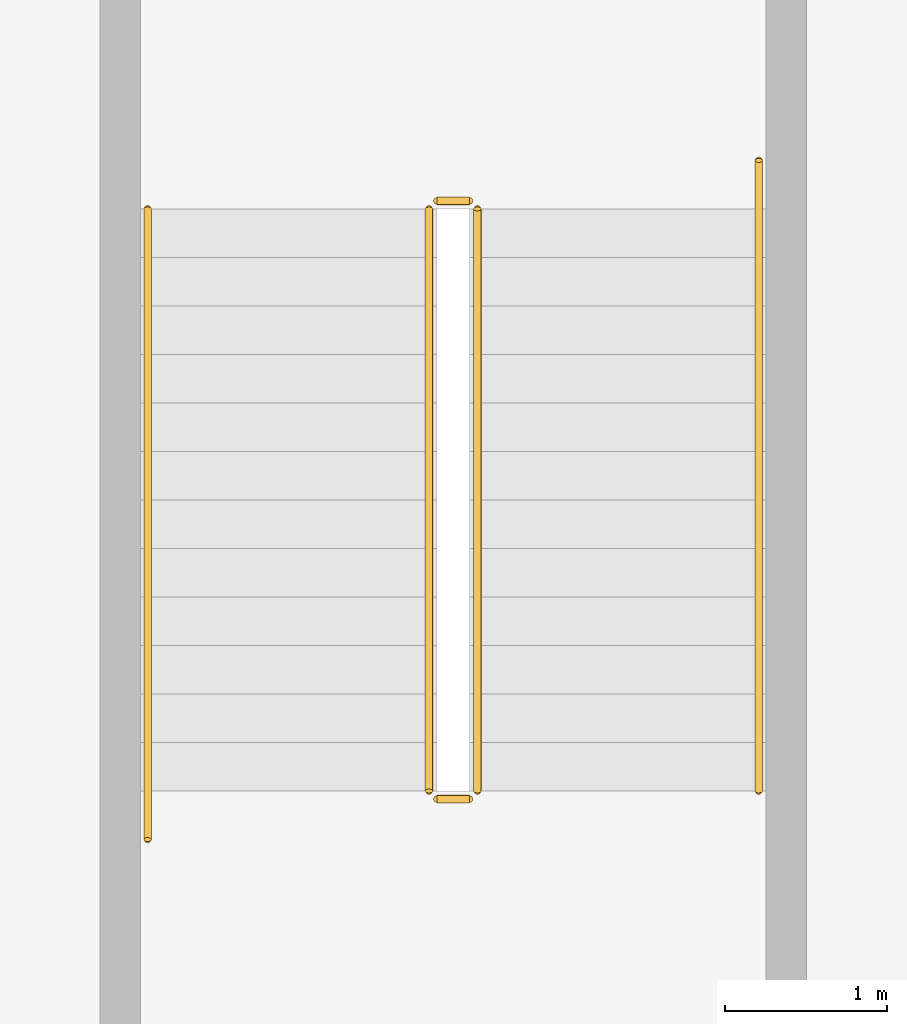
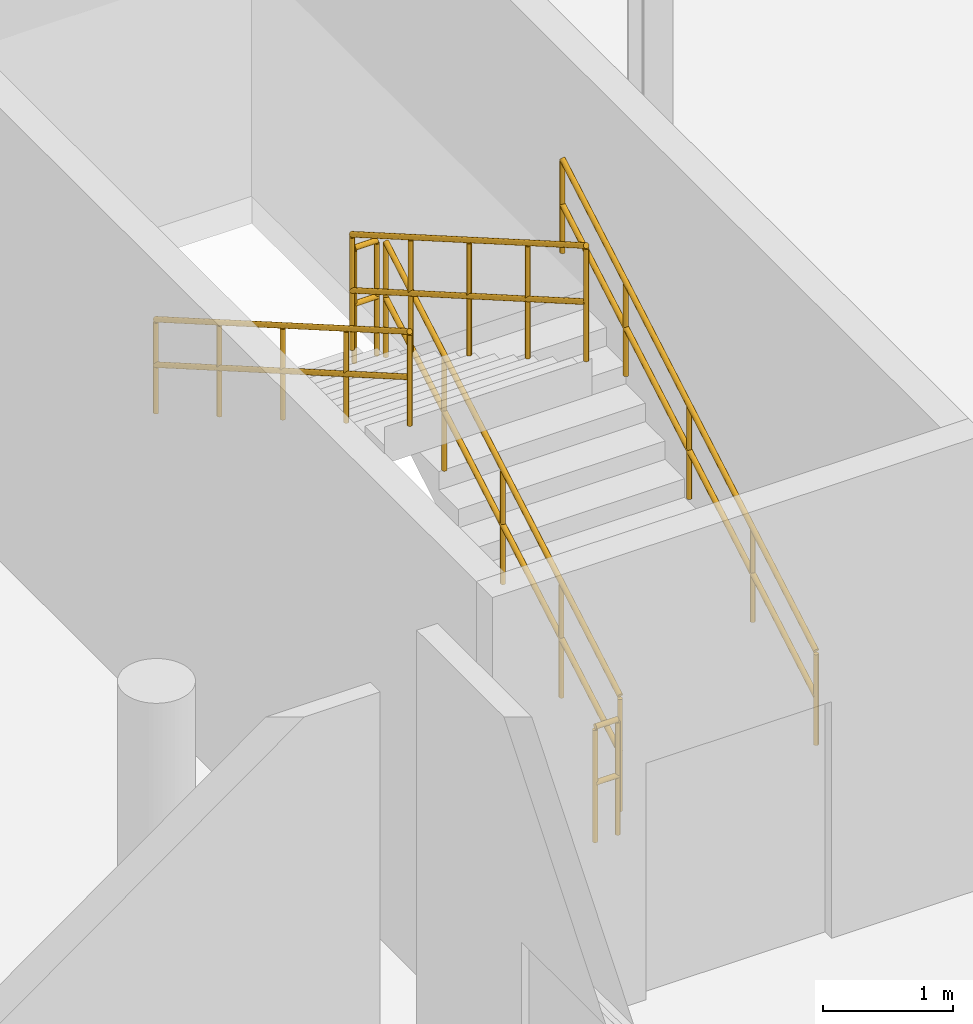
# One storey, part 72 of 73: 6 railings.
"""IFC4 building model written with IfcOpenShell, lengths in metres."""

from ifc_helpers import new_model, si_unit, direction, frame, origin, origin_2d, place, context, subcontext, project, spatial, circle, extrude, material, type_object, element, save


model = new_model("IFC4")

# Units and contexts
model_context = context("Model", 3, precision=1e-05, world=origin(), true_north=direction((0.0, 1.0)))
body_context = subcontext(model_context, "Body", "Model", "MODEL_VIEW")
ifc_project = project(units=[si_unit("LENGTHUNIT", "METRE"), si_unit("AREAUNIT", "SQUARE_METRE"), si_unit("VOLUMEUNIT", "CUBIC_METRE"), si_unit("PLANEANGLEUNIT", "RADIAN"), si_unit("MASSUNIT", "GRAM", prefix="KILO")], contexts=[model_context])

# Site, building, storey
site_placement = place(None, origin())
site = spatial("IfcSite", under=ifc_project, at=site_placement, CompositionType="ELEMENT")
building_placement = place(site_placement, origin())
building = spatial("IfcBuilding", under=site, at=building_placement, Name="Marnock Terrace Opera House", CompositionType="ELEMENT")
storey_placement = place(building_placement, frame((0.0, 0.0, 14.699951171875)))
storey = spatial("IfcBuildingStorey", under=building, at=storey_placement, Name="L03", CompositionType="ELEMENT", Elevation=14.699951171875)

# Railings
ifc_material = material(Name="Architectural bronze balustrade")
railing_type_1 = type_object("IfcRailingType", Name="RL-GUARD-1100", PredefinedType="GUARDRAIL", material=ifc_material)
railing_1_placement = place(storey_placement, frame((141.1298828125, 25.760009765625, 0.173095703125)))
element("IfcRailing", 1, at=railing_1_placement, inside=storey, type_object=railing_type_1, Name="L03 ST-06 stair guard 1", PredefinedType="GUARDRAIL", context=body_context, shape_type="SweptSolid", body=[
    extrude(circle(Radius=0.02392578125, at=origin_2d()), frame((0.0, 0.0, 1.076171875), z_axis=(0.0, 0.866193409371, 0.499708892819), x_axis=(-1.0, 0.0, 0.0)), (0.0, 0.0, 1.0), 4.15625),
    extrude(circle(Radius=0.02392578125, at=origin_2d()), frame((0.0, 0.0, 0.550048828125), z_axis=(0.0, 0.866193409371, 0.499708892819), x_axis=(-1.0, 0.0, 0.0)), (0.0, 0.0, 1.0), 4.15625),
    extrude(circle(Radius=0.02099609375, at=origin_2d()), origin(), (0.0, 0.0, 1.0), 1.052001953125),
    extrude(circle(Radius=0.02099609375, at=origin_2d()), frame((0.0, 0.89990234375, 0.519287109375)), (0.0, 0.0, 1.0), 1.052001953125),
    extrude(circle(Radius=0.02099609375, at=origin_2d()), frame((0.0, 1.800048828125, 1.03857421875)), (0.0, 0.0, 1.0), 1.052001953125),
    extrude(circle(Radius=0.02099609375, at=origin_2d()), frame((0.0, 2.7001953125, 1.5576171875)), (0.0, 0.0, 1.0), 1.052001953125),
    extrude(circle(Radius=0.02099609375, at=origin_2d()), frame((0.0, 3.60009765625, 2.076904296875)), (0.0, 0.0, 1.0), 1.052001953125),
])
railing_2_placement = place(storey_placement, frame((141.080078125, 29.409912109375, 2.25)))
element("IfcRailing", 2, at=railing_2_placement, inside=storey, type_object=railing_type_1, Name="L03 ST-06 stair guard 2", PredefinedType="GUARDRAIL", context=body_context, shape_type="SweptSolid", body=[
    extrude(circle(Radius=0.02392578125, at=origin_2d()), frame((0.0, 0.0, 1.076171875), z_axis=(-1.0, 0.0, 0.0), x_axis=(0.0, -1.0, 0.0)), (0.0, 0.0, 1.0), 0.2001953125),
    extrude(circle(Radius=0.02392578125, at=origin_2d()), frame((0.0, 0.0, 0.550048828125), z_axis=(-1.0, 0.0, 0.0), x_axis=(0.0, -1.0, 0.0)), (0.0, 0.0, 1.0), 0.2001953125),
    extrude(circle(Radius=0.02099609375, at=origin_2d()), origin(), (0.0, 0.0, 1.0), 1.052001953125),
    extrude(circle(Radius=0.02099609375, at=origin_2d()), frame((-0.2001953125, 0.0, 0.0)), (0.0, 0.0, 1.0), 1.052001953125),
])
railing_3_placement = place(storey_placement, frame((140.830078125, 29.360107421875, 2.423095703125)))
element("IfcRailing", 3, at=railing_3_placement, inside=storey, type_object=railing_type_1, Name="L03 ST-06 stair guard 3", PredefinedType="GUARDRAIL", context=body_context, shape_type="SweptSolid", body=[
    extrude(circle(Radius=0.02392578125, at=origin_2d()), frame((0.0, 0.0, 1.076171875), z_axis=(0.0, -0.866193409371, 0.499708892819), x_axis=(1.0, 0.0, 0.0)), (0.0, 0.0, 1.0), 4.15625),
    extrude(circle(Radius=0.02392578125, at=origin_2d()), frame((0.0, 0.0, 0.550048828125), z_axis=(0.0, -0.866193409371, 0.499708892819), x_axis=(1.0, 0.0, 0.0)), (0.0, 0.0, 1.0), 4.15625),
    extrude(circle(Radius=0.02099609375, at=origin_2d()), origin(), (0.0, 0.0, 1.0), 1.052001953125),
    extrude(circle(Radius=0.02099609375, at=origin_2d()), frame((0.0, -0.89990234375, 0.519287109375)), (0.0, 0.0, 1.0), 1.052001953125),
    extrude(circle(Radius=0.02099609375, at=origin_2d()), frame((0.0, -1.800048828125, 1.03857421875)), (0.0, 0.0, 1.0), 1.052001953125),
    extrude(circle(Radius=0.02099609375, at=origin_2d()), frame((0.0, -2.7001953125, 1.5576171875)), (0.0, 0.0, 1.0), 1.052001953125),
    extrude(circle(Radius=0.02099609375, at=origin_2d()), frame((0.0, -3.60009765625, 2.076904296875)), (0.0, 0.0, 1.0), 1.052001953125),
])
railing_4_placement = place(storey_placement, frame((141.080078125, 25.7099609375, 0.0)))
element("IfcRailing", 4, at=railing_4_placement, inside=storey, type_object=railing_type_1, Name="L03 ST-06 stair guard 4", PredefinedType="GUARDRAIL", context=body_context, shape_type="SweptSolid", body=[
    extrude(circle(Radius=0.02392578125, at=origin_2d()), frame((0.0, 0.0, 1.076171875), z_axis=(-1.0, 0.0, 0.0), x_axis=(0.0, -1.0, 0.0)), (0.0, 0.0, 1.0), 0.2001953125),
    extrude(circle(Radius=0.02392578125, at=origin_2d()), frame((0.0, 0.0, 0.550048828125), z_axis=(-1.0, 0.0, 0.0), x_axis=(0.0, -1.0, 0.0)), (0.0, 0.0, 1.0), 0.2001953125),
    extrude(circle(Radius=0.02099609375, at=origin_2d()), origin(), (0.0, 0.0, 1.0), 1.052001953125),
    extrude(circle(Radius=0.02099609375, at=origin_2d()), frame((-0.2001953125, 0.0, 0.0)), (0.0, 0.0, 1.0), 1.052001953125),
])
railing_type_2 = type_object("IfcRailingType", Name="RL-HAND-900", PredefinedType="HANDRAIL", material=ifc_material)
railing_5_placement = place(storey_placement, frame((142.8701171875, 25.760009765625, 0.18505859375)))
element("IfcRailing", 5, at=railing_5_placement, inside=storey, type_object=railing_type_2, Name="L03 ST-06 stair handrail 1", PredefinedType="HANDRAIL", context=body_context, shape_type="SweptSolid", body=[
    extrude(circle(Radius=0.02392578125, at=origin_2d()), frame((0.0, 0.0, 0.8759765625), z_axis=(0.0, 0.866180169578, 0.49973184192), x_axis=(-1.0, 0.0, 0.0)), (0.0, 0.0, 1.0), 4.50244140625),
    extrude(circle(Radius=0.02392578125, at=origin_2d()), frame((0.0, 0.0, 0.449951171875), z_axis=(0.0, 0.866180169578, 0.49973184192), x_axis=(-1.0, 0.0, 0.0)), (0.0, 0.0, 1.0), 4.50244140625),
    extrude(circle(Radius=0.02099609375, at=origin_2d()), origin(), (0.0, 0.0, 1.0), 0.851806640625),
    extrude(circle(Radius=0.02099609375, at=origin_2d()), frame((0.0, 0.97509765625, 0.5625)), (0.0, 0.0, 1.0), 0.851806640625),
    extrude(circle(Radius=0.02099609375, at=origin_2d()), frame((0.0, 1.949951171875, 1.125)), (0.0, 0.0, 1.0), 0.851806640625),
    extrude(circle(Radius=0.02099609375, at=origin_2d()), frame((0.0, 2.9248046875, 1.6875)), (0.0, 0.0, 1.0), 0.851806640625),
    extrude(circle(Radius=0.02099609375, at=origin_2d()), frame((0.0, 3.89990234375, 2.25)), (0.0, 0.0, 1.0), 0.851806640625),
])
railing_6_placement = place(storey_placement, frame((139.090087890625, 29.360107421875, 2.43505859375)))
element("IfcRailing", 6, at=railing_6_placement, inside=storey, type_object=railing_type_2, Name="L03 ST-06 stair handrail 2", PredefinedType="HANDRAIL", context=body_context, shape_type="SweptSolid", body=[
    extrude(circle(Radius=0.02392578125, at=origin_2d()), frame((0.0, 0.0, 0.8759765625), z_axis=(0.0, -0.866193710181, 0.499708371395), x_axis=(1.0, 0.0, 0.0)), (0.0, 0.0, 1.0), 4.502685546875),
    extrude(circle(Radius=0.02392578125, at=origin_2d()), frame((0.0, 0.0, 0.449951171875), z_axis=(0.0, -0.866193710181, 0.499708371395), x_axis=(1.0, 0.0, 0.0)), (0.0, 0.0, 1.0), 4.502685546875),
    extrude(circle(Radius=0.02099609375, at=origin_2d()), origin(), (0.0, 0.0, 1.0), 0.851806640625),
    extrude(circle(Radius=0.02099609375, at=origin_2d()), frame((0.0, -0.97509765625, 0.5625)), (0.0, 0.0, 1.0), 0.851806640625),
    extrude(circle(Radius=0.02099609375, at=origin_2d()), frame((0.0, -1.9501953125, 1.125)), (0.0, 0.0, 1.0), 0.851806640625),
    extrude(circle(Radius=0.02099609375, at=origin_2d()), frame((0.0, -2.925048828125, 1.6875)), (0.0, 0.0, 1.0), 0.851806640625),
    extrude(circle(Radius=0.02099609375, at=origin_2d()), frame((0.0, -3.900146484375, 2.25)), (0.0, 0.0, 1.0), 0.851806640625),
])

save(model, "model.ifc")
